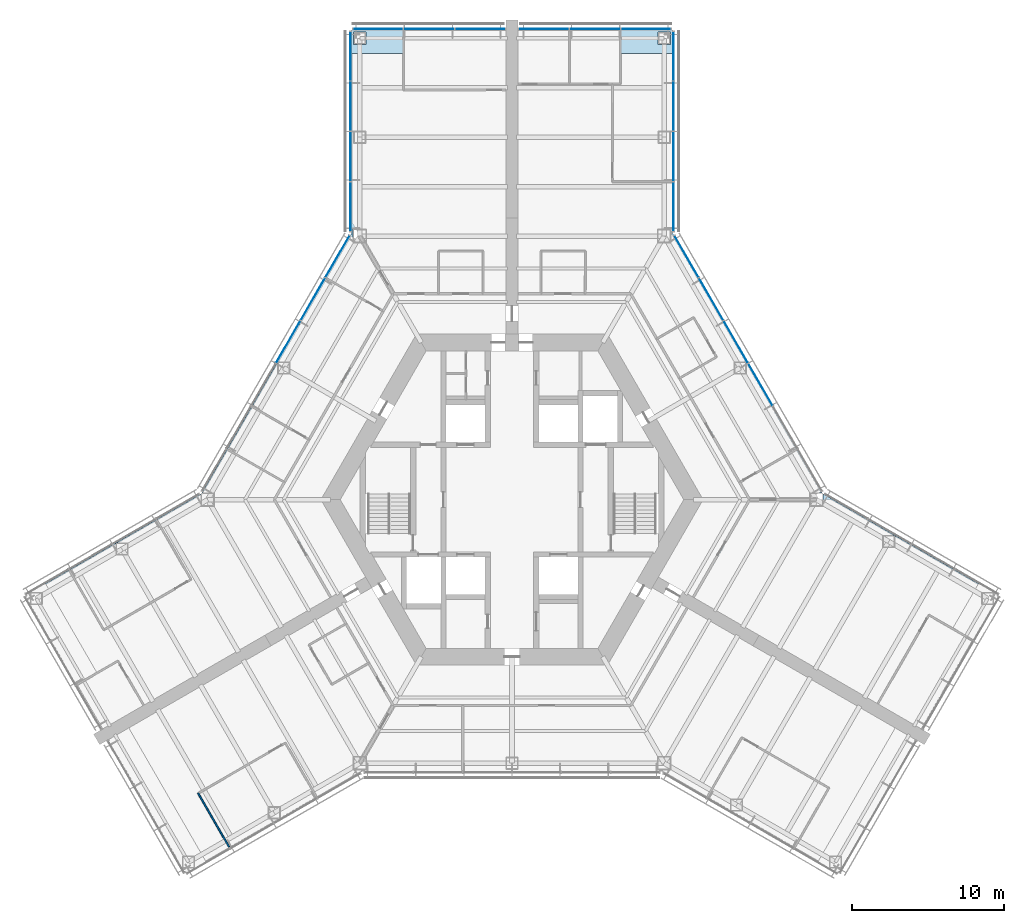
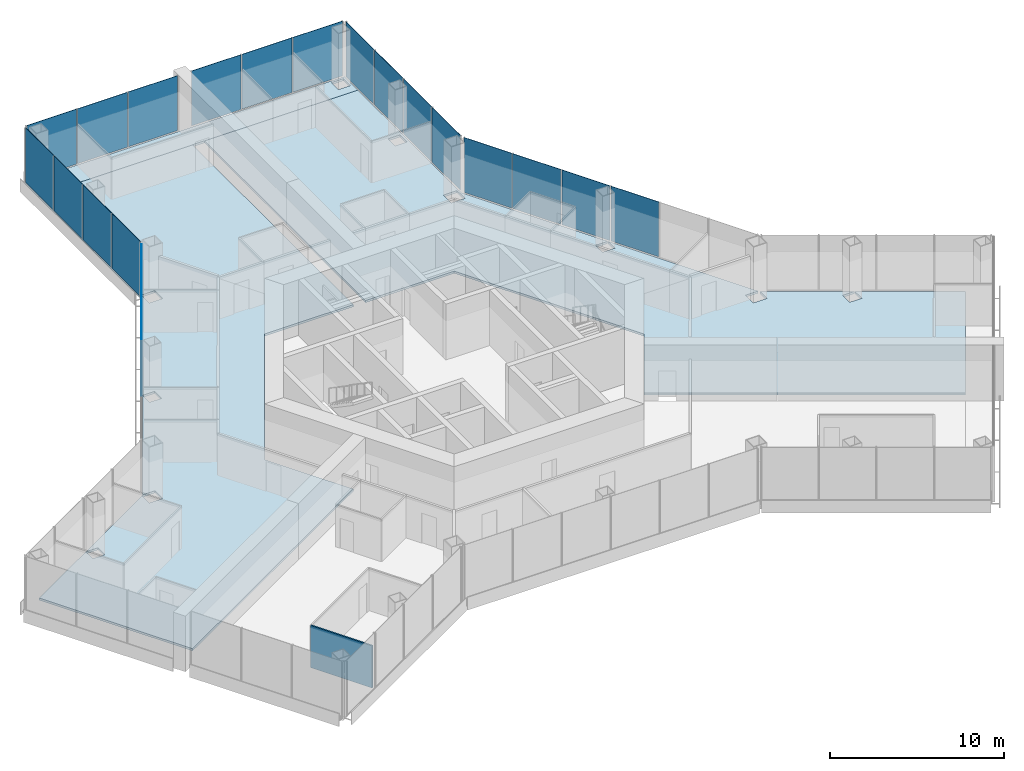
# One storey, part 11 of 18: 21 plates, 3 slabs, 1 wall, 6 elements without a shape of their own.
"""IFC4 building model written with IfcOpenShell, lengths in metres."""

from ifc_helpers import new_model, si_unit, direction, frame, frame_2d, origin, origin_2d, place, context, subcontext, project, spatial, polyline, rectangle, outline, extrude, material, layer, layer_set, type_object, element, aggregate, save


model = new_model("IFC4")

# Units and contexts
model_context = context("Model", 3, precision=1e-05, world=origin(), true_north=direction((0.0, 1.0)))
body_context = subcontext(model_context, "Body", "Model", "MODEL_VIEW")
ifc_project = project(units=[si_unit("LENGTHUNIT", "METRE"), si_unit("AREAUNIT", "SQUARE_METRE"), si_unit("VOLUMEUNIT", "CUBIC_METRE"), si_unit("PLANEANGLEUNIT", "RADIAN"), si_unit("MASSUNIT", "GRAM", prefix="KILO")], contexts=[model_context])

# Site, building, storey
site_placement = place(None, origin())
site = spatial("IfcSite", under=ifc_project, at=site_placement, CompositionType="ELEMENT")
building_placement = place(site_placement, origin())
building = spatial("IfcBuilding", under=site, at=building_placement, Name="Kasaneha Research Tower", CompositionType="ELEMENT")
storey_placement = place(building_placement, frame((0.0, 0.0, 80.699951171875)))
storey = spatial("IfcBuildingStorey", under=building, at=storey_placement, Name="L20", CompositionType="ELEMENT", Elevation=80.699951171875)

# Curtain wall, plates
ifc_material_1 = material(Name="Glass and aluminium", Category="aluminium")
curtain_wall_type = type_object("IfcCurtainWallType", Name="Low-rise office curtain wall", PredefinedType="USERDEFINED", material=ifc_material_1)
curtain_wall_1_placement = place(storey_placement, origin())
curtain_wall_1 = element("IfcCurtainWall", 1, at=curtain_wall_1_placement, inside=storey, type_object=curtain_wall_type, Name="CW-O1 L20 run 07a", ObjectType="UNITISED CURTAIN WALL", PredefinedType="USERDEFINED")
ifc_material_2 = material(Name="Laminated double glazing", Category="glass")
ifc_layer_1 = layer(ifc_material_2, 0.028076171875)
ifc_layer_set_1 = layer_set([ifc_layer_1], Name="CW-O1 glazed panel")
plate_type = type_object("IfcPlateType", Name="CW-O1 glazed panel", PredefinedType="CURTAIN_PANEL", material=ifc_layer_set_1)
plate_1_placement = place(storey_placement, frame((16.331298828125, 7.554443359375, 0.06005859375), z_axis=(0.0, 0.0, 1.0), x_axis=(-0.49999996188, 0.866025425793, 0.0)))
plate_1 = element("IfcPlate", 2, at=plate_1_placement, type_object=plate_type, Name="CW-O1 panel 3", PredefinedType="CURTAIN_PANEL", context=body_context, shape_type="SweptSolid", body=[
    extrude(rectangle(XDim=3.1865234375, YDim=0.028076171875, at=origin_2d()), origin(), (0.0, 0.0, 1.0), 3.840087890625),
])
plate_2_placement = place(storey_placement, frame((14.7080078125, 10.365966796875, 0.06005859375), z_axis=(0.0, 0.0, 1.0), x_axis=(-0.49999996188, 0.866025425793, 0.0)))
plate_2 = element("IfcPlate", 3, at=plate_2_placement, type_object=plate_type, Name="CW-O1 panel 4", PredefinedType="CURTAIN_PANEL", context=body_context, shape_type="SweptSolid", body=[
    extrude(rectangle(XDim=3.1865234375, YDim=0.028076171875, at=origin_2d()), origin(), (0.0, 0.0, 1.0), 3.840087890625),
])
plate_3_placement = place(storey_placement, frame((13.084716796875, 13.177490234375, 0.06005859375), z_axis=(0.0, 0.0, 1.0), x_axis=(-0.49999996188, 0.866025425793, 0.0)))
plate_3 = element("IfcPlate", 4, at=plate_3_placement, type_object=plate_type, Name="CW-O1 panel 5", PredefinedType="CURTAIN_PANEL", context=body_context, shape_type="SweptSolid", body=[
    extrude(rectangle(XDim=3.1865234375, YDim=0.028076171875, at=origin_2d()), origin(), (0.0, 0.0, 1.0), 3.840087890625),
])
plate_4_placement = place(storey_placement, frame((11.468994140625, 15.975830078125, 0.06005859375), z_axis=(0.0, 0.0, 1.0), x_axis=(-0.49999996188, 0.866025425793, 0.0)))
plate_4 = element("IfcPlate", 5, at=plate_4_placement, type_object=plate_type, Name="CW-O1 panel 6", PredefinedType="CURTAIN_PANEL", context=body_context, shape_type="SweptSolid", body=[
    extrude(rectangle(XDim=3.156494140625, YDim=0.028076171875, at=origin_2d()), origin(), (0.0, 0.0, 1.0), 3.840087890625),
])
aggregate(curtain_wall_1, [plate_1, plate_2, plate_3, plate_4])

curtain_wall_2_placement = place(storey_placement, origin())
curtain_wall_2 = element("IfcCurtainWall", 6, at=curtain_wall_2_placement, inside=storey, type_object=curtain_wall_type, Name="CW-O1 L20 run 08a", ObjectType="UNITISED CURTAIN WALL", PredefinedType="USERDEFINED")
plate_5_placement = place(storey_placement, frame((10.60009765625, 19.251220703125, 0.06005859375), z_axis=(0.0, 0.0, 1.0), x_axis=(0.0, 1.0, 0.0)))
plate_5 = element("IfcPlate", 7, at=plate_5_placement, type_object=plate_type, Name="CW-O1 panel 1", PredefinedType="CURTAIN_PANEL", context=body_context, shape_type="SweptSolid", body=[
    extrude(rectangle(XDim=3.2197265625, YDim=0.028076171875, at=origin_2d()), origin(), (0.0, 0.0, 1.0), 3.840087890625),
])
plate_6_placement = place(storey_placement, frame((10.60009765625, 22.5458984375, 0.06005859375), z_axis=(0.0, 0.0, 1.0), x_axis=(0.0, 1.0, 0.0)))
plate_6 = element("IfcPlate", 8, at=plate_6_placement, type_object=plate_type, Name="CW-O1 panel 2", PredefinedType="CURTAIN_PANEL", context=body_context, shape_type="SweptSolid", body=[
    extrude(rectangle(XDim=3.249755859375, YDim=0.028076171875, at=origin_2d()), origin(), (0.0, 0.0, 1.0), 3.840087890625),
])
plate_7_placement = place(storey_placement, frame((10.60009765625, 25.855712890625, 0.06005859375), z_axis=(0.0, 0.0, 1.0), x_axis=(0.0, 1.0, 0.0)))
plate_7 = element("IfcPlate", 9, at=plate_7_placement, type_object=plate_type, Name="CW-O1 panel 3", PredefinedType="CURTAIN_PANEL", context=body_context, shape_type="SweptSolid", body=[
    extrude(rectangle(XDim=3.249755859375, YDim=0.028076171875, at=origin_2d()), origin(), (0.0, 0.0, 1.0), 3.840087890625),
])
plate_8_placement = place(storey_placement, frame((10.60009765625, 29.150634765625, 0.06005859375), z_axis=(0.0, 0.0, 1.0), x_axis=(0.0, 1.0, 0.0)))
plate_8 = element("IfcPlate", 10, at=plate_8_placement, type_object=plate_type, Name="CW-O1 panel 4", PredefinedType="CURTAIN_PANEL", context=body_context, shape_type="SweptSolid", body=[
    extrude(rectangle(XDim=3.2197265625, YDim=0.028076171875, at=origin_2d()), origin(), (0.0, 0.0, 1.0), 3.840087890625),
])
aggregate(curtain_wall_2, [plate_5, plate_6, plate_7, plate_8])

curtain_wall_3_placement = place(storey_placement, origin())
curtain_wall_3 = element("IfcCurtainWall", 11, at=curtain_wall_3_placement, inside=storey, type_object=curtain_wall_type, Name="CW-O1 L20 run 09a", ObjectType="UNITISED CURTAIN WALL", PredefinedType="USERDEFINED")
plate_9_placement = place(storey_placement, frame((8.8017578125, 30.92041015625, 0.06005859375), z_axis=(0.0, 0.0, 1.0), x_axis=(-1.0, 0.0, 0.0)))
plate_9 = element("IfcPlate", 12, at=plate_9_placement, type_object=plate_type, Name="CW-O1 panel 1", PredefinedType="CURTAIN_PANEL", context=body_context, shape_type="SweptSolid", body=[
    extrude(rectangle(XDim=3.276611328125, YDim=0.028076171875, at=origin_2d()), origin(), (0.0, 0.0, 1.0), 3.840087890625),
])
plate_10_placement = place(storey_placement, frame((5.449951171875, 30.92041015625, 0.06005859375), z_axis=(0.0, 0.0, 1.0), x_axis=(-1.0, 0.0, 0.0)))
plate_10 = element("IfcPlate", 13, at=plate_10_placement, type_object=plate_type, Name="CW-O1 panel 2", PredefinedType="CURTAIN_PANEL", context=body_context, shape_type="SweptSolid", body=[
    extrude(rectangle(XDim=3.306640625, YDim=0.028076171875, at=origin_2d()), origin(), (0.0, 0.0, 1.0), 3.840087890625),
])
plate_11_placement = place(storey_placement, frame((2.098388671875, 30.92041015625, 0.06005859375), z_axis=(0.0, 0.0, 1.0), x_axis=(-1.0, 0.0, 0.0)))
plate_11 = element("IfcPlate", 14, at=plate_11_placement, type_object=plate_type, Name="CW-O1 panel 3", PredefinedType="CURTAIN_PANEL", context=body_context, shape_type="SweptSolid", body=[
    extrude(rectangle(XDim=3.276611328125, YDim=0.028076171875, at=origin_2d()), origin(), (0.0, 0.0, 1.0), 3.840087890625),
])
aggregate(curtain_wall_3, [plate_9, plate_10, plate_11])

curtain_wall_4_placement = place(storey_placement, origin())
curtain_wall_4 = element("IfcCurtainWall", 15, at=curtain_wall_4_placement, inside=storey, type_object=curtain_wall_type, Name="CW-O1 L20 run 10a", ObjectType="UNITISED CURTAIN WALL", PredefinedType="USERDEFINED")
plate_12_placement = place(storey_placement, frame((-2.098388671875, 30.92041015625, 0.06005859375), z_axis=(0.0, 0.0, 1.0), x_axis=(-1.0, 0.0, 0.0)))
plate_12 = element("IfcPlate", 16, at=plate_12_placement, type_object=plate_type, Name="CW-O1 panel 1", PredefinedType="CURTAIN_PANEL", context=body_context, shape_type="SweptSolid", body=[
    extrude(rectangle(XDim=3.276611328125, YDim=0.028076171875, at=origin_2d()), origin(), (0.0, 0.0, 1.0), 3.840087890625),
])
plate_13_placement = place(storey_placement, frame((-5.449951171875, 30.92041015625, 0.06005859375), z_axis=(0.0, 0.0, 1.0), x_axis=(-1.0, 0.0, 0.0)))
plate_13 = element("IfcPlate", 17, at=plate_13_placement, type_object=plate_type, Name="CW-O1 panel 2", PredefinedType="CURTAIN_PANEL", context=body_context, shape_type="SweptSolid", body=[
    extrude(rectangle(XDim=3.306640625, YDim=0.028076171875, at=origin_2d()), origin(), (0.0, 0.0, 1.0), 3.840087890625),
])
plate_14_placement = place(storey_placement, frame((-8.8017578125, 30.92041015625, 0.06005859375), z_axis=(0.0, 0.0, 1.0), x_axis=(-1.0, 0.0, 0.0)))
plate_14 = element("IfcPlate", 18, at=plate_14_placement, type_object=plate_type, Name="CW-O1 panel 3", PredefinedType="CURTAIN_PANEL", context=body_context, shape_type="SweptSolid", body=[
    extrude(rectangle(XDim=3.276611328125, YDim=0.028076171875, at=origin_2d()), origin(), (0.0, 0.0, 1.0), 3.840087890625),
])
aggregate(curtain_wall_4, [plate_12, plate_13, plate_14])

curtain_wall_5_placement = place(storey_placement, origin())
curtain_wall_5 = element("IfcCurtainWall", 19, at=curtain_wall_5_placement, inside=storey, type_object=curtain_wall_type, Name="CW-O1 L20 run 11a", ObjectType="UNITISED CURTAIN WALL", PredefinedType="USERDEFINED")
plate_15_placement = place(storey_placement, frame((-10.60009765625, 29.150634765625, 0.06005859375), z_axis=(0.0, 0.0, 1.0), x_axis=(0.0, -1.0, 0.0)))
plate_15 = element("IfcPlate", 20, at=plate_15_placement, type_object=plate_type, Name="CW-O1 panel 1", PredefinedType="CURTAIN_PANEL", context=body_context, shape_type="SweptSolid", body=[
    extrude(rectangle(XDim=3.2197265625, YDim=0.028076171875, at=origin_2d()), origin(), (0.0, 0.0, 1.0), 3.840087890625),
])
plate_16_placement = place(storey_placement, frame((-10.60009765625, 25.855712890625, 0.06005859375), z_axis=(0.0, 0.0, 1.0), x_axis=(0.0, -1.0, 0.0)))
plate_16 = element("IfcPlate", 21, at=plate_16_placement, type_object=plate_type, Name="CW-O1 panel 2", PredefinedType="CURTAIN_PANEL", context=body_context, shape_type="SweptSolid", body=[
    extrude(rectangle(XDim=3.249755859375, YDim=0.028076171875, at=origin_2d()), origin(), (0.0, 0.0, 1.0), 3.840087890625),
])
plate_17_placement = place(storey_placement, frame((-10.60009765625, 22.5458984375, 0.06005859375), z_axis=(0.0, 0.0, 1.0), x_axis=(0.0, -1.0, 0.0)))
plate_17 = element("IfcPlate", 22, at=plate_17_placement, type_object=plate_type, Name="CW-O1 panel 3", PredefinedType="CURTAIN_PANEL", context=body_context, shape_type="SweptSolid", body=[
    extrude(rectangle(XDim=3.249755859375, YDim=0.028076171875, at=origin_2d()), origin(), (0.0, 0.0, 1.0), 3.840087890625),
])
plate_18_placement = place(storey_placement, frame((-10.60009765625, 19.251220703125, 0.06005859375), z_axis=(0.0, 0.0, 1.0), x_axis=(0.0, -1.0, 0.0)))
plate_18 = element("IfcPlate", 23, at=plate_18_placement, type_object=plate_type, Name="CW-O1 panel 4", PredefinedType="CURTAIN_PANEL", context=body_context, shape_type="SweptSolid", body=[
    extrude(rectangle(XDim=3.2197265625, YDim=0.028076171875, at=origin_2d()), origin(), (0.0, 0.0, 1.0), 3.840087890625),
])
aggregate(curtain_wall_5, [plate_15, plate_16, plate_17, plate_18])

curtain_wall_6_placement = place(storey_placement, origin())
curtain_wall_6 = element("IfcCurtainWall", 24, at=curtain_wall_6_placement, inside=storey, type_object=curtain_wall_type, Name="CW-O1 L20 run 12a", ObjectType="UNITISED CURTAIN WALL", PredefinedType="USERDEFINED")
plate_19_placement = place(storey_placement, frame((-11.468994140625, 15.975830078125, 0.06005859375), z_axis=(0.0, 0.0, 1.0), x_axis=(-0.49999996188, -0.866025425793, 0.0)))
plate_19 = element("IfcPlate", 25, at=plate_19_placement, type_object=plate_type, Name="CW-O1 panel 1", PredefinedType="CURTAIN_PANEL", context=body_context, shape_type="SweptSolid", body=[
    extrude(rectangle(XDim=3.156494140625, YDim=0.028076171875, at=origin_2d()), origin(), (0.0, 0.0, 1.0), 3.840087890625),
])
plate_20_placement = place(storey_placement, frame((-13.084716796875, 13.177490234375, 0.06005859375), z_axis=(0.0, 0.0, 1.0), x_axis=(-0.49999996188, -0.866025425793, 0.0)))
plate_20 = element("IfcPlate", 26, at=plate_20_placement, type_object=plate_type, Name="CW-O1 panel 2", PredefinedType="CURTAIN_PANEL", context=body_context, shape_type="SweptSolid", body=[
    extrude(rectangle(XDim=3.1865234375, YDim=0.028076171875, at=origin_2d()), origin(), (0.0, 0.0, 1.0), 3.840087890625),
])
plate_21_placement = place(storey_placement, frame((-14.7080078125, 10.365966796875, 0.06005859375), z_axis=(0.0, 0.0, 1.0), x_axis=(-0.49999996188, -0.866025425793, 0.0)))
plate_21 = element("IfcPlate", 27, at=plate_21_placement, type_object=plate_type, Name="CW-O1 panel 3", PredefinedType="CURTAIN_PANEL", context=body_context, shape_type="SweptSolid", body=[
    extrude(rectangle(XDim=3.1865234375, YDim=0.028076171875, at=origin_2d()), origin(), (0.0, 0.0, 1.0), 3.840087890625),
])
aggregate(curtain_wall_6, [plate_19, plate_20, plate_21])

# Slabs
ifc_material_3 = material(Name="Concrete Fc24", Category="concrete")
ifc_layer_2 = layer(ifc_material_3, 0.14990234375)
ifc_layer_set_2 = layer_set([ifc_layer_2], Name="Floor slab 150")
slab_type = type_object("IfcSlabType", Name="Floor slab 150", PredefinedType="FLOOR", material=ifc_layer_set_2)
slab_1_placement = place(storey_placement, frame((0.0, 0.0, -0.14990234375)))
element("IfcSlab", 28, at=slab_1_placement, inside=storey, type_object=slab_type, Name="Floor slab L20 2", PredefinedType="FLOOR", context=body_context, shape_type="SweptSolid", body=[
    extrude(outline(polyline([(-20.375244140625, 0.449951171875), (-15.40771484375, 9.053955078125), (-15.400146484375, 9.046142578125), (-15.400146484375, 8.26025390625), (-14.599853515625, 8.26025390625), (-14.599853515625, 9.060302734375), (-15.385986328125, 9.060302734375), (-15.3974609375, 9.07177734375), (-10.550048828125, 17.4677734375), (-10.550048828125, 29.310546875), (-0.39990234375, 29.310546875), (-0.39990234375, 10.875), (-6.278564453125, 10.875), (-12.557373046875, 0.0), (-9.617919921875, -5.091064453125), (-25.583740234375, -14.308837890625), (-30.65869140625, -5.518798828125), (-26.040771484375, -2.8525390625), (-26.029296875, -2.864013671875), (-26.029296875, -3.650146484375), (-25.22900390625, -3.650146484375), (-25.22900390625, -2.849853515625), (-26.01513671875, -2.849853515625), (-26.02294921875, -2.84228515625), (-20.449951171875, 0.375244140625), (-20.449951171875, -0.449951171875), (-19.550048828125, -0.449951171875), (-19.550048828125, 0.449951171875), (-20.375244140625, 0.449951171875)]), holes=[polyline([(-9.550048828125, 17.7705078125), (-10.449951171875, 17.7705078125), (-10.449951171875, 16.87060546875), (-9.550048828125, 16.87060546875), (-9.550048828125, 17.7705078125)]), polyline([(-9.60009765625, 23.42041015625), (-9.60009765625, 24.220458984375), (-10.39990234375, 24.220458984375), (-10.39990234375, 23.42041015625), (-9.60009765625, 23.42041015625)])]), origin(), (0.0, 0.0, 1.0), 0.14990234375),
])
slab_2_placement = place(storey_placement, frame((0.0, 0.0, -0.14990234375)))
element("IfcSlab", 29, at=slab_2_placement, inside=storey, type_object=slab_type, Name="Floor slab L20 3", PredefinedType="FLOOR", context=body_context, shape_type="SweptSolid", body=[
    extrude(outline(polyline([(10.550048828125, 29.310546875), (0.39990234375, 29.310546875), (0.39990234375, 29.320556640625), (-0.39990234375, 29.320556640625), (-0.39990234375, 29.310546875), (-10.550048828125, 29.310546875), (-10.550048828125, 30.87060546875), (10.550048828125, 30.87060546875), (10.550048828125, 29.310546875)]), holes=[polyline([(-9.60009765625, 30.720458984375), (-10.39990234375, 30.720458984375), (-10.39990234375, 29.92041015625), (-9.60009765625, 29.92041015625), (-9.60009765625, 30.720458984375)]), polyline([(10.39990234375, 29.92041015625), (10.39990234375, 30.720458984375), (9.60009765625, 30.720458984375), (9.60009765625, 29.92041015625), (10.39990234375, 29.92041015625)])]), origin(), (0.0, 0.0, 1.0), 0.14990234375),
])
slab_3_placement = place(storey_placement, frame((0.0, 0.0, -0.14990234375)))
element("IfcSlab", 30, at=slab_3_placement, inside=storey, type_object=slab_type, Name="Floor slab L20 5", PredefinedType="FLOOR", context=body_context, shape_type="SweptSolid", body=[
    extrude(outline(polyline([(9.617919921875, -5.091064453125), (12.557373046875, 0.0), (6.278564453125, 10.875), (0.39990234375, 10.875), (0.39990234375, 29.310546875), (10.550048828125, 29.310546875), (10.550048828125, 17.4677734375), (15.3974609375, 9.07177734375), (15.385986328125, 9.060302734375), (14.599853515625, 9.060302734375), (14.599853515625, 8.26025390625), (15.400146484375, 8.26025390625), (15.400146484375, 9.046142578125), (15.40771484375, 9.053955078125), (20.375244140625, 0.449951171875), (19.550048828125, 0.449951171875), (19.550048828125, -0.449951171875), (20.449951171875, -0.449951171875), (20.449951171875, 0.375244140625), (25.15673828125, -2.34228515625), (25.149169921875, -2.349853515625), (24.363037109375, -2.349853515625), (24.363037109375, -3.150146484375), (25.163330078125, -3.150146484375), (25.163330078125, -2.364013671875), (25.1748046875, -2.3525390625), (30.65869140625, -5.518798828125), (25.583740234375, -14.308837890625), (9.617919921875, -5.091064453125)]), holes=[polyline([(10.449951171875, 16.87060546875), (10.449951171875, 17.7705078125), (9.550048828125, 17.7705078125), (9.550048828125, 16.87060546875), (10.449951171875, 16.87060546875)]), polyline([(10.39990234375, 23.42041015625), (10.39990234375, 24.220458984375), (9.60009765625, 24.220458984375), (9.60009765625, 23.42041015625), (10.39990234375, 23.42041015625)])]), origin(), (0.0, 0.0, 1.0), 0.14990234375),
])

# Wall
ifc_material_4 = material(Name="Gypsum board on steel studs, one layer each side", Category="steel")
ifc_layer_3 = layer(ifc_material_4, 0.10009765625)
ifc_layer_set_3 = layer_set([ifc_layer_3], Name="Office partition 100")
wall_type = type_object("IfcWallType", Name="Office partition 100", PredefinedType="PARTITIONING", material=ifc_layer_set_3)
wall_placement = place(storey_placement, frame((-18.5849609375, -22.831298828125, 0.0), z_axis=(0.0, 0.0, 1.0), x_axis=(-0.500000428765, 0.866025156237, 0.0)))
element("IfcWall", 31, at=wall_placement, inside=storey, type_object=wall_type, Name="Office partition FBS08 L20", PredefinedType="PARTITIONING", context=body_context, shape_type="SweptSolid", body=[
    extrude(rectangle(XDim=4.080078125, YDim=0.10009765625, at=frame_2d((2.0400390625, 0.0))), origin(), (0.0, 0.0, 1.0), 2.949951171875),
])

save(model, "model.ifc")
